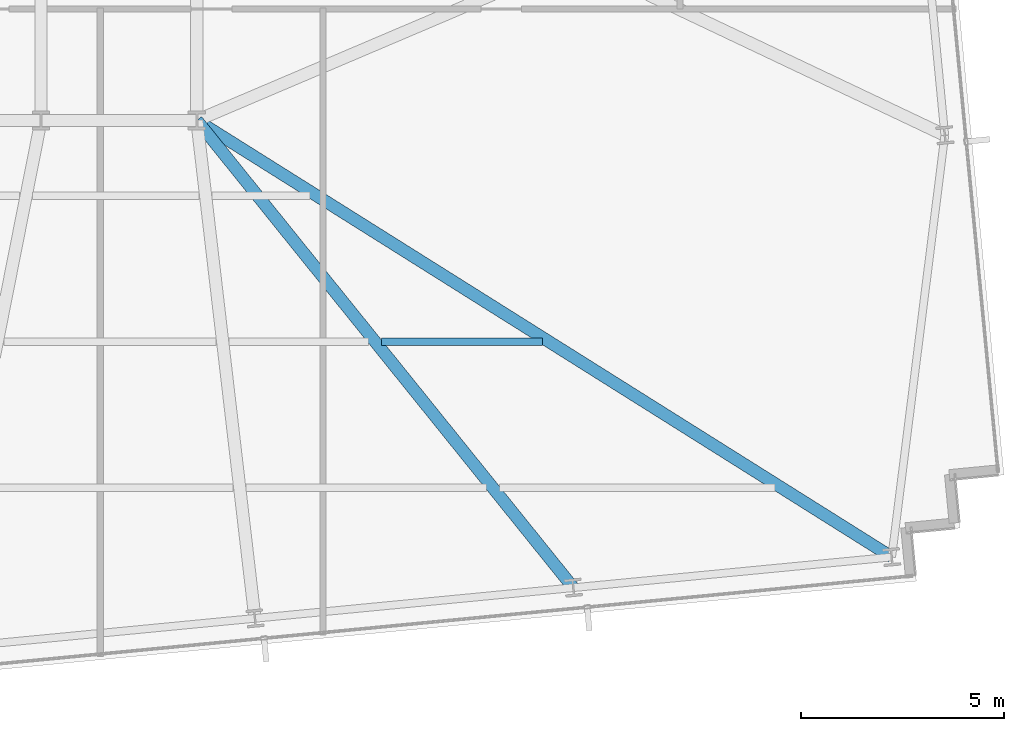
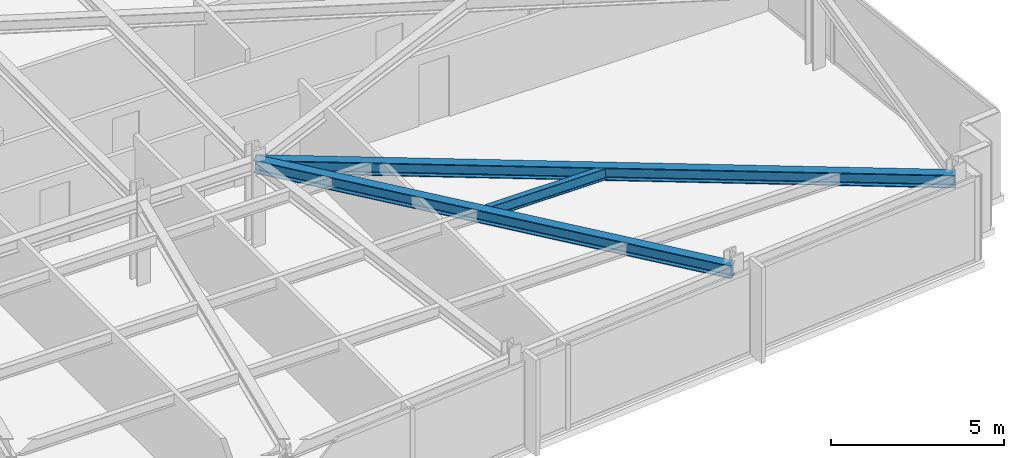
# One storey, part 13 of 32: 3 beams.
"""IFC4 building model written with IfcOpenShell, lengths in metres."""

from ifc_helpers import new_model, si_unit, direction, frame, origin, origin_2d, place, context, subcontext, project, spatial, i_section, extrude, material, material_profile, profile_set, type_object, element, save


model = new_model("IFC4")

# Units and contexts
model_context = context("Model", 3, precision=1e-05, world=origin(), true_north=direction((0.0, 1.0)))
body_context = subcontext(model_context, "Body", "Model", "MODEL_VIEW")
ifc_project = project(units=[si_unit("LENGTHUNIT", "METRE"), si_unit("AREAUNIT", "SQUARE_METRE"), si_unit("VOLUMEUNIT", "CUBIC_METRE"), si_unit("PLANEANGLEUNIT", "RADIAN"), si_unit("MASSUNIT", "GRAM", prefix="KILO")], contexts=[model_context])

# Site, building, storey
site_placement = place(None, origin())
site = spatial("IfcSite", under=ifc_project, at=site_placement, CompositionType="ELEMENT")
building_placement = place(site_placement, origin())
building = spatial("IfcBuilding", under=site, at=building_placement, Name="Yelkora Congress Tower", CompositionType="ELEMENT")
storey_placement = place(building_placement, frame((0.0, 0.0, 133.89990234375)))
storey = spatial("IfcBuildingStorey", under=building, at=storey_placement, Name="L36", CompositionType="ELEMENT", Elevation=133.89990234375)

# Beams
ifc_material = material(Name="Steel S355J2", Category="steel")
ifc_material_profile_1 = material_profile(ifc_material, i_section(OverallWidth=0.300048828125, OverallDepth=0.449951171875, WebThickness=0.013916015625, FlangeThickness=0.02587890625, FilletRadius=0.027099609375, at=origin_2d()), Name="HEB 450")
ifc_profile_set_1 = profile_set([ifc_material_profile_1], Name="Steel S355J2")
beam_type_1 = type_object("IfcBeamType", Name="BM-GIRD-HEB450", PredefinedType="BEAM", material=ifc_profile_set_1)
beam_1_placement = place(storey_placement, frame((66.882568359375, 13.67919921875, 2.755126953125), z_axis=(-0.627405981031, 0.778692323686, 0.0), x_axis=(-0.778692323686, -0.627405981031, 0.0)))
element("IfcBeam", 1, at=beam_1_placement, inside=storey, type_object=beam_type_1, Name="L36 Primary Frame Girder S07", PredefinedType="BEAM", context=body_context, shape_type="SweptSolid", body=[
    extrude(i_section(OverallWidth=0.300048828125, OverallDepth=0.449951171875, WebThickness=0.013916015625, FlangeThickness=0.02587890625, FilletRadius=0.027099609375, at=origin_2d()), origin(), (0.0, 0.0, 1.0), 14.794921875),
])
beam_2_placement = place(storey_placement, frame((74.73193359375, 14.43505859375, 2.755126953125), z_axis=(-0.846718708798, 0.532040814385, 0.0), x_axis=(-0.532040814385, -0.846718708798, 0.0)))
element("IfcBeam", 2, at=beam_2_placement, inside=storey, type_object=beam_type_1, Name="L36 Primary Frame Girder S08", PredefinedType="BEAM", context=body_context, shape_type="SweptSolid", body=[
    extrude(i_section(OverallWidth=0.300048828125, OverallDepth=0.449951171875, WebThickness=0.013916015625, FlangeThickness=0.02587890625, FilletRadius=0.027099609375, at=origin_2d()), origin(), (0.0, 0.0, 1.0), 20.233154296875),
])
ifc_material_profile_2 = material_profile(ifc_material, i_section(OverallWidth=0.179931640625, OverallDepth=0.39990234375, WebThickness=0.008544921875, FlangeThickness=0.013427734375, FilletRadius=0.02099609375, at=origin_2d()), Name="IPE 400")
ifc_profile_set_2 = profile_set([ifc_material_profile_2], Name="Steel S355J2")
beam_type_2 = type_object("IfcBeamType", Name="BM-JOIST-IPE400", PredefinedType="JOIST", material=ifc_profile_set_2)
beam_3_placement = place(storey_placement, frame((62.15576171875, 19.744384765625, 2.780029296875), z_axis=(1.0, 0.0, 0.0), x_axis=(0.0, 1.0, 0.0)))
element("IfcBeam", 3, at=beam_3_placement, inside=storey, type_object=beam_type_2, Name="L36 Composite Floor Joist 17", PredefinedType="JOIST", context=body_context, shape_type="SweptSolid", body=[
    extrude(i_section(OverallWidth=0.179931640625, OverallDepth=0.39990234375, WebThickness=0.008544921875, FlangeThickness=0.013427734375, FilletRadius=0.02099609375, at=origin_2d()), origin(), (0.0, 0.0, 1.0), 3.966552734375),
])

save(model, "model.ifc")
